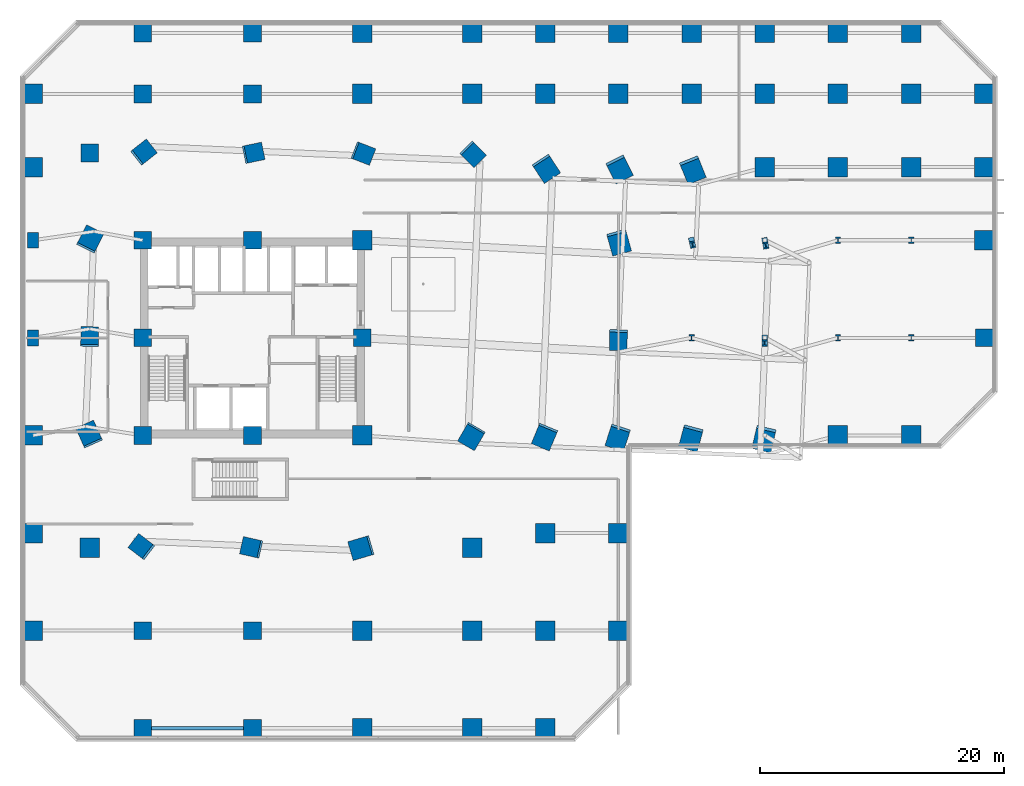
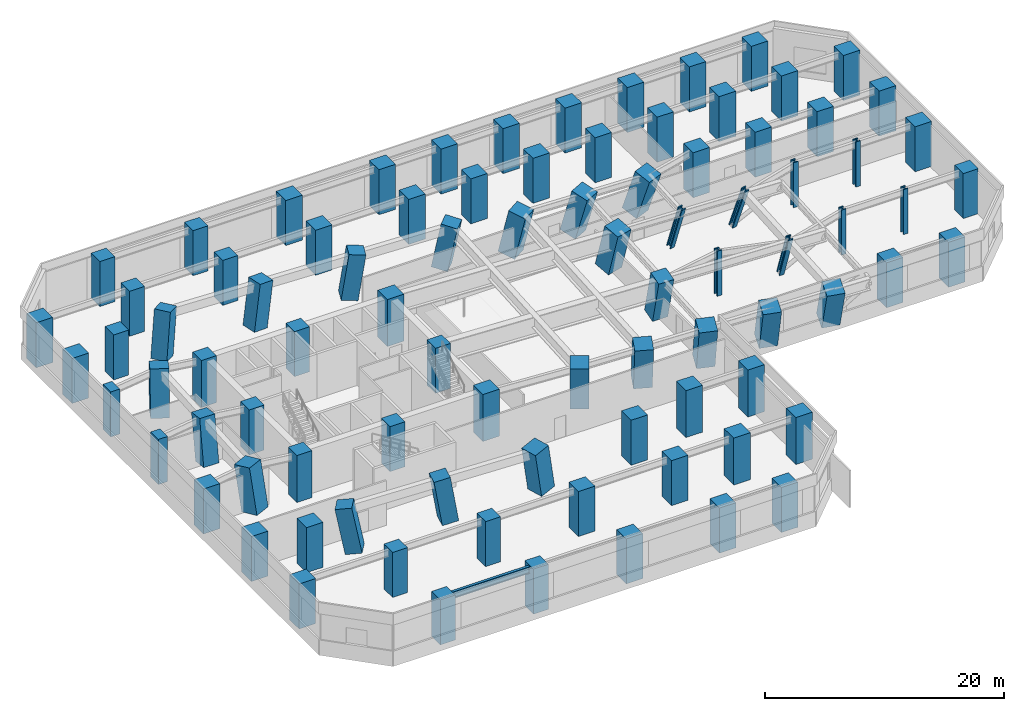
# One storey, part 1 of 14: 88 columns, 1 beam.
"""IFC4 building model written with IfcOpenShell, lengths in metres."""

from ifc_helpers import new_model, si_unit, direction, frame, origin, origin_2d, place, context, subcontext, project, spatial, rectangle, i_section, extrude, clip, halfspace, source, transform, mapped, material, material_profile, profile_set, type_object, element, save


model = new_model("IFC4")

# Units and contexts
model_context = context("Model", 3, precision=1e-05, world=origin(), true_north=direction((0.0, 1.0)))
body_context = subcontext(model_context, "Body", "Model", "MODEL_VIEW")
ifc_project = project(units=[si_unit("LENGTHUNIT", "METRE"), si_unit("AREAUNIT", "SQUARE_METRE"), si_unit("VOLUMEUNIT", "CUBIC_METRE"), si_unit("PLANEANGLEUNIT", "RADIAN"), si_unit("MASSUNIT", "GRAM", prefix="KILO")], contexts=[model_context])

# Site, building, storey
site_placement = place(None, origin())
site = spatial("IfcSite", under=ifc_project, at=site_placement, CompositionType="ELEMENT")
building_placement = place(site_placement, origin())
building = spatial("IfcBuilding", under=site, at=building_placement, Name="Torre Montelarca", CompositionType="ELEMENT")
storey_placement = place(building_placement, frame((0.0, 0.0, 28.0)))
storey = spatial("IfcBuildingStorey", under=building, at=storey_placement, Name="L06", CompositionType="ELEMENT", Elevation=28.0)

# Columns
ifc_material_1 = material(Name="Concrete C70/85", Category="concrete")
ifc_material_profile_1 = material_profile(ifc_material_1, rectangle(XDim=1.449951171875, YDim=1.449951171875, at=origin_2d()), Name="RC1450X1450", Category="concrete")
ifc_profile_set_1 = profile_set([ifc_material_profile_1], Name="Concrete C70/85")
column_type_1 = type_object("IfcColumnType", Name="COL-RC1450", PredefinedType="COLUMN", material=ifc_profile_set_1)
column_1_placement = place(storey_placement, frame((9.0, 14.800048828125, 0.0), z_axis=(-0.151013331323, 0.114858023163, 0.981836344957), x_axis=(-0.605376865392, -0.795938974324, 0.0)))
element("IfcColumn", 1, at=column_1_placement, inside=storey, type_object=column_type_1, Name="L06 Column 2/CS", PredefinedType="COLUMN", context=body_context, shape_type="Clipping", body=[
    clip(clip(extrude(rectangle(XDim=1.449951171875, YDim=1.449951171875, at=origin_2d()), origin(), (0.0, 0.0, 1.0), 4.888916015625), halfspace(frame((0.0, 0.0, 0.140869140625), z_axis=(0.0, 0.0, -1.0), x_axis=(1.0, 0.0, 0.0)), False)), halfspace(frame((0.0, 0.0, 4.748046875), z_axis=(0.0, 0.0, 1.0), x_axis=(1.0, 0.0, 0.0)), False)),
])
column_2_placement = place(storey_placement, frame((9.0, 47.14990234375, 0.0), z_axis=(0.137944021771, 0.108903175083, 0.984434632322), x_axis=(-0.619644288579, 0.784882765533, 0.0)))
element("IfcColumn", 2, at=column_2_placement, inside=storey, type_object=column_type_1, Name="L06 Column 2/GN", PredefinedType="COLUMN", context=body_context, shape_type="Clipping", body=[
    clip(clip(extrude(rectangle(XDim=1.449951171875, YDim=1.449951171875, at=origin_2d()), origin(), (0.0, 0.0, 1.0), 4.8759765625), halfspace(frame((0.0, 0.0, 0.130126953125), z_axis=(0.0, 0.0, -1.0), x_axis=(1.0, 0.0, 0.0)), False)), halfspace(frame((0.0, 0.0, 4.745849609375), z_axis=(0.0, 0.0, 1.0), x_axis=(1.0, 0.0, 0.0)), False)),
])
column_3_placement = place(storey_placement, frame((18.0, 14.800048828125, 0.0), z_axis=(-0.153644648635, 0.034757141829, 0.987514690036), x_axis=(-0.220642524596, -0.975354743844, 0.0)))
element("IfcColumn", 3, at=column_3_placement, inside=storey, type_object=column_type_1, Name="L06 Column 3/CS", PredefinedType="COLUMN", context=body_context, shape_type="Clipping", body=[
    clip(clip(extrude(rectangle(XDim=1.449951171875, YDim=1.449951171875, at=origin_2d()), origin(), (0.0, 0.0, 1.0), 4.86083984375), halfspace(frame((0.0, 0.0, 0.116455078125), z_axis=(0.0, 0.0, -1.0), x_axis=(1.0, 0.0, 0.0)), False)), halfspace(frame((0.0, 0.0, 4.744384765625), z_axis=(0.0, 0.0, 1.0), x_axis=(1.0, 0.0, 0.0)), False)),
])
column_4_placement = place(storey_placement, frame((18.0, 47.14990234375, 0.0), z_axis=(0.137033469496, 0.028504573221, 0.990156208658), x_axis=(-0.203652506851, 0.979043235232, 0.0)))
element("IfcColumn", 4, at=column_4_placement, inside=storey, type_object=column_type_1, Name="L06 Column 3/GN", PredefinedType="COLUMN", context=body_context, shape_type="Clipping", body=[
    clip(clip(extrude(rectangle(XDim=1.449951171875, YDim=1.449951171875, at=origin_2d()), origin(), (0.0, 0.0, 1.0), 4.84765625), halfspace(frame((0.0, 0.0, 0.103271484375), z_axis=(0.0, 0.0, -1.0), x_axis=(1.0, 0.0, 0.0)), False)), halfspace(frame((0.0, 0.0, 4.744384765625), z_axis=(0.0, 0.0, 1.0), x_axis=(1.0, 0.0, 0.0)), False)),
])
column_5_placement = place(storey_placement, frame((27.0, 47.14990234375, 0.0), z_axis=(0.135123042012, -0.05238848668, 0.989442878584), x_axis=(0.361490890945, 0.932375640911, 0.0)))
element("IfcColumn", 5, at=column_5_placement, inside=storey, type_object=column_type_1, Name="L06 Column 4/GN", PredefinedType="COLUMN", context=body_context, shape_type="Clipping", body=[
    clip(clip(extrude(rectangle(XDim=1.449951171875, YDim=1.449951171875, at=origin_2d()), origin(), (0.0, 0.0, 1.0), 4.851318359375), halfspace(frame((0.0, 0.0, 0.10693359375), z_axis=(0.0, 0.0, -1.0), x_axis=(1.0, 0.0, 0.0)), False)), halfspace(frame((0.0, 0.0, 4.744384765625), z_axis=(0.0, 0.0, 1.0), x_axis=(1.0, 0.0, 0.0)), False)),
])
column_6_placement = place(storey_placement, frame((36.0, 47.14990234375, 0.0), z_axis=(0.132401625397, -0.13235166252, 0.982320134692), x_axis=(0.706973327046, 0.707240210144, 0.0)))
element("IfcColumn", 6, at=column_6_placement, inside=storey, type_object=column_type_1, Name="L06 Column 5/GN", PredefinedType="COLUMN", context=body_context, shape_type="Clipping", body=[
    clip(clip(extrude(rectangle(XDim=1.449951171875, YDim=1.449951171875, at=origin_2d()), origin(), (0.0, 0.0, 1.0), 4.886474609375), halfspace(frame((0.0, 0.0, 0.138916015625), z_axis=(0.0, 0.0, -1.0), x_axis=(1.0, 0.0, 0.0)), False)), halfspace(frame((0.0, 0.0, 4.74755859375), z_axis=(0.0, 0.0, 1.0), x_axis=(1.0, 0.0, 0.0)), False)),
])
column_7_placement = place(storey_placement, frame((48.0, 32.0, 0.0), z_axis=(-0.005093110912, -0.234134758899, 0.972190811979), x_axis=(0.999763489518, -0.021747759117, 0.0)))
element("IfcColumn", 7, at=column_7_placement, inside=storey, type_object=column_type_1, Name="L06 Column 7/E", PredefinedType="COLUMN", context=body_context, shape_type="Clipping", body=[
    clip(clip(extrude(rectangle(XDim=1.449951171875, YDim=1.449951171875, at=origin_2d()), origin(), (0.0, 0.0, 1.0), 4.937255859375), halfspace(frame((0.0, 0.0, 0.17529296875), z_axis=(0.0, 0.0, -1.0), x_axis=(1.0, 0.0, 0.0)), False)), halfspace(frame((0.0, 0.0, 4.761962890625), z_axis=(0.0, 0.0, 1.0), x_axis=(1.0, 0.0, 0.0)), False)),
])
column_8_placement = place(storey_placement, frame((4.64990234375, 32.0, 0.0), z_axis=(0.003318194609, 0.151380060121, 0.988470063777), x_axis=(-0.999759851488, 0.021914364065, 0.0)))
element("IfcColumn", 8, at=column_8_placement, inside=storey, type_object=column_type_1, Name="L06 Column 1W/E", PredefinedType="COLUMN", context=body_context, shape_type="Clipping", body=[
    clip(clip(extrude(rectangle(XDim=1.449951171875, YDim=1.449951171875, at=origin_2d()), origin(), (0.0, 0.0, 1.0), 4.85595703125), halfspace(frame((0.0, 0.0, 0.11181640625), z_axis=(0.0, 0.0, -1.0), x_axis=(1.0, 0.0, 0.0)), False)), halfspace(frame((0.0, 0.0, 4.744140625), z_axis=(0.0, 0.0, 1.0), x_axis=(1.0, 0.0, 0.0)), False)),
])
ifc_material_profile_2 = material_profile(ifc_material_1, rectangle(XDim=1.60009765625, YDim=1.60009765625, at=origin_2d()), Name="RC1600X1600", Category="concrete")
ifc_profile_set_2 = profile_set([ifc_material_profile_2], Name="Concrete C70/85")
column_type_2 = type_object("IfcColumnType", Name="COL-RC1600", PredefinedType="COLUMN", material=ifc_profile_set_2)
column_9_placement = place(storey_placement, frame((27.0, 14.800048828125, 0.0), z_axis=(-0.155338879297, -0.04597428544, 0.986790858114), x_axis=(0.283792954128, -0.958885581906, 0.0)))
element("IfcColumn", 9, at=column_9_placement, inside=storey, type_object=column_type_2, Name="L06 Column 4/CS", PredefinedType="COLUMN", context=body_context, shape_type="Clipping", body=[
    clip(clip(extrude(rectangle(XDim=1.60009765625, YDim=1.60009765625, at=origin_2d()), origin(), (0.0, 0.0, 1.0), 4.8642578125), halfspace(frame((0.0, 0.0, 0.132080078125), z_axis=(0.0, 0.0, -1.0), x_axis=(1.0, 0.0, 0.0)), False)), halfspace(frame((0.0, 0.0, 4.732177734375), z_axis=(0.0, 0.0, 1.0), x_axis=(1.0, 0.0, 0.0)), False)),
])
column_10_placement = place(storey_placement, frame((42.0, 46.0, 0.0), z_axis=(0.120166759651, -0.184417772759, 0.97547426156), x_axis=(0.83783025408, 0.545930824692, 0.0)))
element("IfcColumn", 10, at=column_10_placement, inside=storey, type_object=column_type_2, Name="L06 Column 6/G", PredefinedType="COLUMN", context=body_context, shape_type="Clipping", body=[
    clip(clip(extrude(rectangle(XDim=1.60009765625, YDim=1.60009765625, at=origin_2d()), origin(), (0.0, 0.0, 1.0), 4.920654296875), halfspace(frame((0.0, 0.0, 0.18115234375), z_axis=(0.0, 0.0, -1.0), x_axis=(1.0, 0.0, 0.0)), False)), halfspace(frame((0.0, 0.0, 4.739501953125), z_axis=(0.0, 0.0, 1.0), x_axis=(1.0, 0.0, 0.0)), False)),
])
column_11_placement = place(storey_placement, frame((48.0, 40.0, 0.0), z_axis=(0.065404532384, -0.235081448976, 0.969772632884), x_axis=(0.963407779641, 0.268040015905, 0.0)))
element("IfcColumn", 11, at=column_11_placement, inside=storey, type_object=column_type_2, Name="L06 Column 7/F", PredefinedType="COLUMN", context=body_context, shape_type="Clipping", body=[
    clip(clip(extrude(rectangle(XDim=1.60009765625, YDim=1.60009765625, at=origin_2d()), origin(), (0.0, 0.0, 1.0), 4.94970703125), halfspace(frame((0.0, 0.0, 0.2021484375), z_axis=(0.0, 0.0, -1.0), x_axis=(1.0, 0.0, 0.0)), False)), halfspace(frame((0.0, 0.0, 4.74755859375), z_axis=(0.0, 0.0, 1.0), x_axis=(1.0, 0.0, 0.0)), False)),
])
column_12_placement = place(storey_placement, frame((48.0, 46.0, 0.0), z_axis=(0.117679189372, -0.235014861511, 0.964841760735), x_axis=(0.894165640865, 0.447736313801, 0.0)))
element("IfcColumn", 12, at=column_12_placement, inside=storey, type_object=column_type_2, Name="L06 Column 7/G", PredefinedType="COLUMN", context=body_context, shape_type="Clipping", body=[
    clip(clip(extrude(rectangle(XDim=1.60009765625, YDim=1.60009765625, at=origin_2d()), origin(), (0.0, 0.0, 1.0), 4.974853515625), halfspace(frame((0.0, 0.0, 0.21875), z_axis=(0.0, 0.0, -1.0), x_axis=(1.0, 0.0, 0.0)), False)), halfspace(frame((0.0, 0.0, 4.756103515625), z_axis=(0.0, 0.0, 1.0), x_axis=(1.0, 0.0, 0.0)), False)),
])
column_13_placement = place(storey_placement, frame((54.0, 46.0, 0.0), z_axis=(0.114947559248, -0.283785865524, 0.951973025433), x_axis=(0.92685381155, 0.37542244474, 0.0)))
element("IfcColumn", 13, at=column_13_placement, inside=storey, type_object=column_type_2, Name="L06 Column 8/G", PredefinedType="COLUMN", context=body_context, shape_type="Clipping", body=[
    clip(clip(extrude(rectangle(XDim=1.60009765625, YDim=1.60009765625, at=origin_2d()), origin(), (0.0, 0.0, 1.0), 5.042236328125), halfspace(frame((0.0, 0.0, 0.258056640625), z_axis=(0.0, 0.0, -1.0), x_axis=(1.0, 0.0, 0.0)), False)), halfspace(frame((0.0, 0.0, 4.7841796875), z_axis=(0.0, 0.0, 1.0), x_axis=(1.0, 0.0, 0.0)), False)),
])
column_14_placement = place(storey_placement, frame((4.64990234375, 40.0, 0.0), z_axis=(0.07496919422, 0.149386775639, 0.985932660572), x_axis=(-0.893766167959, 0.448533206142, 0.0)))
element("IfcColumn", 14, at=column_14_placement, inside=storey, type_object=column_type_2, Name="L06 Column 1W/F", PredefinedType="COLUMN", context=body_context, shape_type="Clipping", body=[
    clip(clip(extrude(rectangle(XDim=1.60009765625, YDim=1.60009765625, at=origin_2d()), origin(), (0.0, 0.0, 1.0), 4.86865234375), halfspace(frame((0.0, 0.0, 0.136474609375), z_axis=(0.0, 0.0, -1.0), x_axis=(1.0, 0.0, 0.0)), False)), halfspace(frame((0.0, 0.0, 4.732177734375), z_axis=(0.0, 0.0, 1.0), x_axis=(1.0, 0.0, 0.0)), False)),
])
ifc_material_profile_3 = material_profile(ifc_material_1, rectangle(XDim=1.60009765625, YDim=1.60009765625, at=origin_2d()), Name="RC1600X1600", Category="concrete")
ifc_profile_set_3 = profile_set([ifc_material_profile_3], Name="Concrete C70/85")
column_type_3 = type_object("IfcColumnType", Name="COL-RC1600-EXT", PredefinedType="COLUMN", material=ifc_profile_set_3)
column_15_placement = place(storey_placement, frame((36.0, 24.0, 0.0), z_axis=(-0.074738817011, -0.128755970086, 0.988855909321), x_axis=(0.864855191365, -0.502021411863, 0.0)))
element("IfcColumn", 15, at=column_15_placement, inside=storey, type_object=column_type_3, Name="L06 Perimeter Mega Column 5/D", PredefinedType="COLUMN", context=body_context, shape_type="Clipping", body=[
    clip(clip(extrude(rectangle(XDim=1.60009765625, YDim=1.60009765625, at=origin_2d()), origin(), (0.0, 0.0, 1.0), 4.854248046875), halfspace(frame((0.0, 0.0, 0.12109375), z_axis=(0.0, 0.0, -1.0), x_axis=(1.0, 0.0, 0.0)), False)), halfspace(frame((0.0, 0.0, 4.733154296875), z_axis=(0.0, 0.0, 1.0), x_axis=(1.0, 0.0, 0.0)), False)),
])
column_16_placement = place(storey_placement, frame((42.0, 24.0, 0.0), z_axis=(-0.075259886608, -0.181142417601, 0.980572982502), x_axis=(0.923467612917, -0.383676384331, 0.0)))
element("IfcColumn", 16, at=column_16_placement, inside=storey, type_object=column_type_3, Name="L06 Perimeter Mega Column 6/D", PredefinedType="COLUMN", context=body_context, shape_type="Clipping", body=[
    clip(clip(extrude(rectangle(XDim=1.60009765625, YDim=1.60009765625, at=origin_2d()), origin(), (0.0, 0.0, 1.0), 4.895263671875), halfspace(frame((0.0, 0.0, 0.160888671875), z_axis=(0.0, 0.0, -1.0), x_axis=(1.0, 0.0, 0.0)), False)), halfspace(frame((0.0, 0.0, 4.734375), z_axis=(0.0, 0.0, 1.0), x_axis=(1.0, 0.0, 0.0)), False)),
])
column_17_placement = place(storey_placement, frame((48.0, 24.0, 0.0), z_axis=(-0.07561517764, -0.231975329706, 0.969778217593), x_axis=(0.950764807949, -0.309913342672, 0.0)))
element("IfcColumn", 17, at=column_17_placement, inside=storey, type_object=column_type_3, Name="L06 Perimeter Mega Column 7/D", PredefinedType="COLUMN", context=body_context, shape_type="Clipping", body=[
    clip(clip(extrude(rectangle(XDim=1.60009765625, YDim=1.60009765625, at=origin_2d()), origin(), (0.0, 0.0, 1.0), 4.94970703125), halfspace(frame((0.0, 0.0, 0.2021484375), z_axis=(0.0, 0.0, -1.0), x_axis=(1.0, 0.0, 0.0)), False)), halfspace(frame((0.0, 0.0, 4.74755859375), z_axis=(0.0, 0.0, 1.0), x_axis=(1.0, 0.0, 0.0)), False)),
])
column_18_placement = place(storey_placement, frame((54.0, 24.0, 0.0), z_axis=(-0.075715593765, -0.28101385218, 0.956712268001), x_axis=(0.965565696682, -0.260159346154, 0.0)))
element("IfcColumn", 18, at=column_18_placement, inside=storey, type_object=column_type_3, Name="L06 Perimeter Mega Column 8/D", PredefinedType="COLUMN", context=body_context, shape_type="Clipping", body=[
    clip(clip(extrude(rectangle(XDim=1.60009765625, YDim=1.60009765625, at=origin_2d()), origin(), (0.0, 0.0, 1.0), 5.017333984375), halfspace(frame((0.0, 0.0, 0.244140625), z_axis=(0.0, 0.0, -1.0), x_axis=(1.0, 0.0, 0.0)), False)), halfspace(frame((0.0, 0.0, 4.773193359375), z_axis=(0.0, 0.0, 1.0), x_axis=(1.0, 0.0, 0.0)), False)),
])
column_19_placement = place(storey_placement, frame((60.0, 24.0, 0.0), z_axis=(-0.075626493605, -0.327938316475, 0.941667188582), x_axis=(0.974424764565, -0.224713992004, 0.0)))
element("IfcColumn", 19, at=column_19_placement, inside=storey, type_object=column_type_3, Name="L06 Perimeter Mega Column 9/D", PredefinedType="COLUMN", context=body_context, shape_type="Clipping", body=[
    clip(clip(extrude(rectangle(XDim=1.60009765625, YDim=1.60009765625, at=origin_2d()), origin(), (0.0, 0.0, 1.0), 5.097412109375), halfspace(frame((0.0, 0.0, 0.28662109375), z_axis=(0.0, 0.0, -1.0), x_axis=(1.0, 0.0, 0.0)), False)), halfspace(frame((0.0, 0.0, 4.810791015625), z_axis=(0.0, 0.0, 1.0), x_axis=(1.0, 0.0, 0.0)), False)),
])
column_20_placement = place(storey_placement, frame((4.64990234375, 24.0, 0.0), z_axis=(-0.068349662981, 0.152545616132, 0.985930098217), x_axis=(-0.912582674782, -0.408892237255, 0.0)))
element("IfcColumn", 20, at=column_20_placement, inside=storey, type_object=column_type_3, Name="L06 Perimeter Mega Column 1W/D", PredefinedType="COLUMN", context=body_context, shape_type="Clipping", body=[
    clip(clip(extrude(rectangle(XDim=1.60009765625, YDim=1.60009765625, at=origin_2d()), origin(), (0.0, 0.0, 1.0), 4.86865234375), halfspace(frame((0.0, 0.0, 0.136474609375), z_axis=(0.0, 0.0, -1.0), x_axis=(1.0, 0.0, 0.0)), False)), halfspace(frame((0.0, 0.0, 4.732177734375), z_axis=(0.0, 0.0, 1.0), x_axis=(1.0, 0.0, 0.0)), False)),
])
ifc_material_2 = material(Name="Steel ASTM A992 Grade 50", Category="steel")
ifc_material_profile_4 = material_profile(ifc_material_2, i_section(OverallWidth=0.44189453125, OverallDepth=0.531005859375, WebThickness=0.06591796875, FlangeThickness=0.10595703125, FilletRadius=0.014892578125, at=origin_2d()), Name="W360X900", Category="steel")
ifc_profile_set_4 = profile_set([ifc_material_profile_4], Name="Steel ASTM A992 Grade 50")
column_type_4 = type_object("IfcColumnType", Name="COL-W360X900", PredefinedType="COLUMN", material=ifc_profile_set_4)
column_21_placement = place(storey_placement, frame((54.0, 40.0, 0.0), z_axis=(0.063403888281, -0.28407666906, 0.956702876052), x_axis=(0.975986028976, 0.217833127057, 0.0)))
element("IfcColumn", 21, at=column_21_placement, inside=storey, type_object=column_type_4, Name="L06 Column 8/F", PredefinedType="COLUMN", context=body_context, shape_type="Clipping", body=[
    clip(clip(extrude(i_section(OverallWidth=0.44189453125, OverallDepth=0.531005859375, WebThickness=0.06591796875, FlangeThickness=0.10595703125, FilletRadius=0.014892578125, at=origin_2d()), origin(), (0.0, 0.0, 1.0), 5.017333984375), halfspace(frame((0.0, 0.0, 0.08154296875), z_axis=(0.0, 0.0, -1.0), x_axis=(1.0, 0.0, 0.0)), False)), halfspace(frame((0.0, 0.0, 4.935791015625), z_axis=(0.0, 0.0, 1.0), x_axis=(1.0, 0.0, 0.0)), False)),
])
column_22_placement = place(storey_placement, frame((60.0, 32.0, 0.0), z_axis=(-0.007201190316, -0.330198579943, 0.943884018649), x_axis=(0.999762275855, -0.021803480863, 0.0)))
element("IfcColumn", 22, at=column_22_placement, inside=storey, type_object=column_type_4, Name="L06 Column 9/E", PredefinedType="COLUMN", context=body_context, shape_type="Clipping", body=[
    clip(clip(extrude(i_section(OverallWidth=0.44189453125, OverallDepth=0.531005859375, WebThickness=0.06591796875, FlangeThickness=0.10595703125, FilletRadius=0.014892578125, at=origin_2d()), origin(), (0.0, 0.0, 1.0), 5.08544921875), halfspace(frame((0.0, 0.0, 0.09375), z_axis=(0.0, 0.0, -1.0), x_axis=(1.0, 0.0, 0.0)), False)), halfspace(frame((0.0, 0.0, 4.99169921875), z_axis=(0.0, 0.0, 1.0), x_axis=(1.0, 0.0, 0.0)), False)),
])
column_23_placement = place(storey_placement, frame((60.0, 40.0, 0.0), z_axis=(0.061257285985, -0.330952186205, 0.94165715383), x_axis=(0.983298043028, 0.182002633435, 0.0)))
element("IfcColumn", 23, at=column_23_placement, inside=storey, type_object=column_type_4, Name="L06 Column 9/F", PredefinedType="COLUMN", context=body_context, shape_type="Clipping", body=[
    clip(clip(extrude(i_section(OverallWidth=0.44189453125, OverallDepth=0.531005859375, WebThickness=0.06591796875, FlangeThickness=0.10595703125, FilletRadius=0.014892578125, at=origin_2d()), origin(), (0.0, 0.0, 1.0), 5.097412109375), halfspace(frame((0.0, 0.0, 0.095703125), z_axis=(0.0, 0.0, -1.0), x_axis=(1.0, 0.0, 0.0)), False)), halfspace(frame((0.0, 0.0, 5.001708984375), z_axis=(0.0, 0.0, 1.0), x_axis=(1.0, 0.0, 0.0)), False)),
])
shared_shape_1 = source(origin(), body_context, "Body", "SweptSolid", [
    extrude(rectangle(XDim=1.60009765625, YDim=1.60009765625, at=origin_2d()), origin(), (0.0, 0.0, 1.0), 4.599365234375),
])
for number, where, z_axis, x_axis, name in (
    (24, (0.0, 8.0, 0.000732421875), (0.0, 0.0, 1.0), (1.0, 0.0, 0.0), "L06 Perimeter Mega Column 1/B"),
    (25, (0.0, 16.0, 0.000732421875), (0.0, 0.0, 1.0), (1.0, 0.0, 0.0), "L06 Perimeter Mega Column 1/C"),
    (26, (0.0, 24.0, 0.000732421875), (0.0, 0.0, 1.0), (1.0, 0.0, 0.0), "L06 Perimeter Mega Column 1/D"),
    (27, (0.0, 46.0, 0.000732421875), (0.0, 0.0, 1.0), (1.0, 0.0, 0.0), "L06 Perimeter Mega Column 1/G"),
    (28, (0.0, 52.0, 0.000732421875), (0.0, 0.0, 1.0), (1.0, 0.0, 0.0), "L06 Perimeter Mega Column 1/H"),
    (29, (27.0, 0.0, 0.000732421875), (0.0, 0.0, 1.0), (1.0, 0.0, 0.0), "L06 Perimeter Mega Column 4/A"),
    (30, (27.0, 57.0, 0.000732421875), (0.0, 0.0, 1.0), (1.0, 0.0, 0.0), "L06 Perimeter Mega Column 4/J"),
    (31, (36.0, 0.0, 0.000732421875), (0.0, 0.0, 1.0), (1.0, 0.0, 0.0), "L06 Perimeter Mega Column 5/A"),
    (32, (36.0, 57.0, 0.000732421875), (0.0, 0.0, 1.0), (1.0, 0.0, 0.0), "L06 Perimeter Mega Column 5/J"),
    (33, (42.0, 0.0, 0.000732421875), (0.0, 0.0, 1.0), (1.0, 0.0, 0.0), "L06 Perimeter Mega Column 6/A"),
    (34, (42.0, 57.0, 0.000732421875), (0.0, 0.0, 1.0), (1.0, 0.0, 0.0), "L06 Perimeter Mega Column 6/J"),
    (35, (48.0, 57.0, 0.000732421875), (0.0, 0.0, 1.0), (1.0, 0.0, 0.0), "L06 Perimeter Mega Column 7/J"),
    (36, (54.0, 57.0, 0.000732421875), (0.0, 0.0, 1.0), (1.0, 0.0, 0.0), "L06 Perimeter Mega Column 8/J"),
    (37, (60.0, 57.0, 0.000732421875), (0.0, 0.0, 1.0), (1.0, 0.0, 0.0), "L06 Perimeter Mega Column 9/J"),
    (38, (66.0, 24.0, 0.000732421875), (0.0, 0.0, 1.0), (1.0, 0.0, 0.0), "L06 Perimeter Mega Column 10/D"),
    (39, (66.0, 57.0, 0.000732421875), (0.0, 0.0, 1.0), (1.0, 0.0, 0.0), "L06 Perimeter Mega Column 10/J"),
    (40, (72.0, 24.0, 0.000732421875), (0.0, 0.0, 1.0), (1.0, 0.0, 0.0), "L06 Perimeter Mega Column 11/D"),
    (41, (72.0, 57.0, 0.000732421875), (0.0, 0.0, 1.0), (1.0, 0.0, 0.0), "L06 Perimeter Mega Column 11/J"),
    (42, (78.0, 40.0, 0.000732421875), (0.0, 0.0, 1.0), (1.0, 0.0, 0.0), "L06 Perimeter Mega Column 12/F"),
    (43, (78.0, 46.0, 0.000732421875), (0.0, 0.0, 1.0), (1.0, 0.0, 0.0), "L06 Perimeter Mega Column 12/G"),
    (44, (78.0, 52.0, 0.000732421875), (0.0, 0.0, 1.0), (1.0, 0.0, 0.0), "L06 Perimeter Mega Column 12/H"),
):
    element("IfcColumn", number, at=place(storey_placement, frame(where, z_axis=z_axis, x_axis=x_axis)), inside=storey, type_object=column_type_3, Name=name, PredefinedType="COLUMN", context=body_context, shape_type="MappedRepresentation", body=[
        mapped(shared_shape_1, transform((0.0, 0.0, 0.0), scale=1.0)),
    ])
shared_shape_2 = source(origin(), body_context, "Body", "SweptSolid", [
    extrude(rectangle(XDim=1.60009765625, YDim=1.60009765625, at=origin_2d()), origin(), (0.0, 0.0, 1.0), 4.798583984375),
])
for number, where, z_axis, x_axis, name in (
    (45, (27.0, 24.0, 0.000732421875), (0.0, 0.0, 1.0), (1.0, 0.0, 0.0), "L06 Perimeter Mega Column 4/D"),
    (46, (48.0, 8.0, 0.000732421875), (0.0, 0.0, 1.0), (1.0, 0.0, 0.0), "L06 Perimeter Mega Column 7/B"),
    (47, (48.0, 16.0, 0.000732421875), (0.0, 0.0, 1.0), (1.0, 0.0, 0.0), "L06 Perimeter Mega Column 7/C"),
):
    element("IfcColumn", number, at=place(storey_placement, frame(where, z_axis=z_axis, x_axis=x_axis)), inside=storey, type_object=column_type_3, Name=name, PredefinedType="COLUMN", context=body_context, shape_type="MappedRepresentation", body=[
        mapped(shared_shape_2, transform((0.0, 0.0, 0.0), scale=1.0)),
    ])
ifc_material_profile_5 = material_profile(ifc_material_1, rectangle(XDim=1.449951171875, YDim=1.449951171875, at=origin_2d()), Name="RC1450X1450", Category="concrete")
ifc_profile_set_5 = profile_set([ifc_material_profile_5], Name="Concrete C70/85")
column_type_5 = type_object("IfcColumnType", Name="COL-RC1450-EXT", PredefinedType="COLUMN", material=ifc_profile_set_5)
shared_shape_3 = source(origin(), body_context, "Body", "SweptSolid", [
    extrude(rectangle(XDim=1.449951171875, YDim=1.449951171875, at=origin_2d()), origin(), (0.0, 0.0, 1.0), 4.798583984375),
])
column_24_placement = place(storey_placement, frame((9.0, 24.0, 0.000732421875), z_axis=(0.0, 0.0, 1.0), x_axis=(1.0, 0.0, 0.0)))
element("IfcColumn", 48, at=column_24_placement, inside=storey, type_object=column_type_5, Name="L06 Perimeter Mega Column 2/D", PredefinedType="COLUMN", context=body_context, shape_type="MappedRepresentation", body=[
    mapped(shared_shape_3, transform((0.0, 0.0, 0.0), scale=1.0)),
])
shared_shape_4 = source(origin(), body_context, "Body", "SweptSolid", [
    extrude(rectangle(XDim=1.449951171875, YDim=1.449951171875, at=origin_2d()), origin(), (0.0, 0.0, 1.0), 4.798583984375),
])
column_25_placement = place(storey_placement, frame((9.0, 40.0, 0.000732421875), z_axis=(0.0, 0.0, 1.0), x_axis=(1.0, 0.0, 0.0)))
element("IfcColumn", 49, at=column_25_placement, inside=storey, type_object=column_type_1, Name="L06 Column 2/F", PredefinedType="COLUMN", context=body_context, shape_type="MappedRepresentation", body=[
    mapped(shared_shape_4, transform((0.0, 0.0, 0.0), scale=1.0)),
])
shared_shape_5 = source(origin(), body_context, "Body", "SweptSolid", [
    extrude(rectangle(XDim=1.449951171875, YDim=1.449951171875, at=origin_2d()), origin(), (0.0, 0.0, 1.0), 4.599365234375),
])
for number, where, z_axis, x_axis, name in (
    (50, (9.0, 0.0, 0.000732421875), (0.0, 0.0, 1.0), (1.0, 0.0, 0.0), "L06 Perimeter Mega Column 2/A"),
    (51, (9.0, 57.0, 0.000732421875), (0.0, 0.0, 1.0), (1.0, 0.0, 0.0), "L06 Perimeter Mega Column 2/J"),
    (52, (18.0, 0.0, 0.000732421875), (0.0, 0.0, 1.0), (1.0, 0.0, 0.0), "L06 Perimeter Mega Column 3/A"),
    (53, (18.0, 24.0, 0.000732421875), (0.0, 0.0, 1.0), (1.0, 0.0, 0.0), "L06 Perimeter Mega Column 3/D"),
    (54, (18.0, 57.0, 0.000732421875), (0.0, 0.0, 1.0), (1.0, 0.0, 0.0), "L06 Perimeter Mega Column 3/J"),
    (55, (78.0, 32.0, 0.000732421875), (0.0, 0.0, 1.0), (1.0, 0.0, 0.0), "L06 Perimeter Mega Column 12/E"),
):
    element("IfcColumn", number, at=place(storey_placement, frame(where, z_axis=z_axis, x_axis=x_axis)), inside=storey, type_object=column_type_5, Name=name, PredefinedType="COLUMN", context=body_context, shape_type="MappedRepresentation", body=[
        mapped(shared_shape_5, transform((0.0, 0.0, 0.0), scale=1.0)),
    ])
shared_shape_6 = source(origin(), body_context, "Body", "SweptSolid", [
    extrude(rectangle(XDim=1.60009765625, YDim=1.60009765625, at=origin_2d()), origin(), (0.0, 0.0, 1.0), 4.798583984375),
])
for number, where, z_axis, x_axis, name in (
    (56, (27.0, 40.0, 0.000732421875), (0.0, 0.0, 1.0), (1.0, 0.0, 0.0), "L06 Column 4/F"),
    (57, (42.0, 8.0, 0.000732421875), (0.0, 0.0, 1.0), (1.0, 0.0, 0.0), "L06 Column 6/B"),
    (58, (42.0, 16.0, 0.000732421875), (0.0, 0.0, 1.0), (1.0, 0.0, 0.0), "L06 Column 6/C"),
):
    element("IfcColumn", number, at=place(storey_placement, frame(where, z_axis=z_axis, x_axis=x_axis)), inside=storey, type_object=column_type_2, Name=name, PredefinedType="COLUMN", context=body_context, shape_type="MappedRepresentation", body=[
        mapped(shared_shape_6, transform((0.0, 0.0, 0.0), scale=1.0)),
    ])
shared_shape_7 = source(origin(), body_context, "Body", "SweptSolid", [
    extrude(rectangle(XDim=1.60009765625, YDim=1.60009765625, at=origin_2d()), origin(), (0.0, 0.0, 1.0), 4.599365234375),
])
for number, where, z_axis, x_axis, name in (
    (59, (27.0, 8.0, 0.000732421875), (0.0, 0.0, 1.0), (1.0, 0.0, 0.0), "L06 Column 4/B"),
    (60, (27.0, 52.0, 0.000732421875), (0.0, 0.0, 1.0), (1.0, 0.0, 0.0), "L06 Column 4/H"),
    (61, (36.0, 8.0, 0.000732421875), (0.0, 0.0, 1.0), (1.0, 0.0, 0.0), "L06 Column 5/B"),
    (62, (36.0, 52.0, 0.000732421875), (0.0, 0.0, 1.0), (1.0, 0.0, 0.0), "L06 Column 5/H"),
    (63, (36.0, 14.800048828125, 0.000732421875), (0.0, 0.0, 1.0), (1.0, 0.0, 0.0), "L06 Column 5/CS"),
    (64, (42.0, 52.0, 0.000732421875), (0.0, 0.0, 1.0), (1.0, 0.0, 0.0), "L06 Column 6/H"),
    (65, (48.0, 52.0, 0.000732421875), (0.0, 0.0, 1.0), (1.0, 0.0, 0.0), "L06 Column 7/H"),
    (66, (54.0, 52.0, 0.000732421875), (0.0, 0.0, 1.0), (1.0, 0.0, 0.0), "L06 Column 8/H"),
    (67, (60.0, 46.0, 0.000732421875), (0.0, 0.0, 1.0), (1.0, 0.0, 0.0), "L06 Column 9/G"),
    (68, (60.0, 52.0, 0.000732421875), (0.0, 0.0, 1.0), (1.0, 0.0, 0.0), "L06 Column 9/H"),
    (69, (66.0, 46.0, 0.000732421875), (0.0, 0.0, 1.0), (1.0, 0.0, 0.0), "L06 Column 10/G"),
    (70, (66.0, 52.0, 0.000732421875), (0.0, 0.0, 1.0), (1.0, 0.0, 0.0), "L06 Column 10/H"),
    (71, (72.0, 46.0, 0.000732421875), (0.0, 0.0, 1.0), (1.0, 0.0, 0.0), "L06 Column 11/G"),
    (72, (72.0, 52.0, 0.000732421875), (0.0, 0.0, 1.0), (1.0, 0.0, 0.0), "L06 Column 11/H"),
    (73, (4.64990234375, 14.800048828125, 0.000732421875), (0.0, 0.0, 1.0), (1.0, 0.0, 0.0), "L06 Column 1W/CS"),
):
    element("IfcColumn", number, at=place(storey_placement, frame(where, z_axis=z_axis, x_axis=x_axis)), inside=storey, type_object=column_type_2, Name=name, PredefinedType="COLUMN", context=body_context, shape_type="MappedRepresentation", body=[
        mapped(shared_shape_7, transform((0.0, 0.0, 0.0), scale=1.0)),
    ])
shared_shape_8 = source(origin(), body_context, "Body", "SweptSolid", [
    extrude(rectangle(XDim=1.449951171875, YDim=1.449951171875, at=origin_2d()), origin(), (0.0, 0.0, 1.0), 4.599365234375),
])
for number, where, z_axis, x_axis, name in (
    (74, (9.0, 8.0, 0.000732421875), (0.0, 0.0, 1.0), (1.0, 0.0, 0.0), "L06 Column 2/B"),
    (75, (9.0, 32.0, 0.000732421875), (0.0, 0.0, 1.0), (1.0, 0.0, 0.0), "L06 Column 2/E"),
    (76, (9.0, 52.0, 0.000732421875), (0.0, 0.0, 1.0), (1.0, 0.0, 0.0), "L06 Column 2/H"),
    (77, (18.0, 8.0, 0.000732421875), (0.0, 0.0, 1.0), (1.0, 0.0, 0.0), "L06 Column 3/B"),
    (78, (18.0, 40.0, 0.000732421875), (0.0, 0.0, 1.0), (1.0, 0.0, 0.0), "L06 Column 3/F"),
    (79, (18.0, 52.0, 0.000732421875), (0.0, 0.0, 1.0), (1.0, 0.0, 0.0), "L06 Column 3/H"),
    (80, (27.0, 32.0, 0.000732421875), (0.0, 0.0, 1.0), (1.0, 0.0, 0.0), "L06 Column 4/E"),
    (81, (4.64990234375, 47.14990234375, 0.000732421875), (0.0, 0.0, 1.0), (1.0, 0.0, 0.0), "L06 Column 1W/GN"),
):
    element("IfcColumn", number, at=place(storey_placement, frame(where, z_axis=z_axis, x_axis=x_axis)), inside=storey, type_object=column_type_1, Name=name, PredefinedType="COLUMN", context=body_context, shape_type="MappedRepresentation", body=[
        mapped(shared_shape_8, transform((0.0, 0.0, 0.0), scale=1.0)),
    ])
ifc_material_3 = material(Name="Concrete C55/67", Category="concrete")
ifc_material_profile_6 = material_profile(ifc_material_3, rectangle(XDim=0.89990234375, YDim=1.300048828125, at=origin_2d()), Name="RC1300X900", Category="concrete")
ifc_profile_set_6 = profile_set([ifc_material_profile_6], Name="Concrete C55/67")
column_type_6 = type_object("IfcColumnType", Name="COL-PIL1300-EXT", PredefinedType="PILASTER", material=ifc_profile_set_6)
shared_shape_9 = source(origin(), body_context, "Body", "SweptSolid", [
    extrude(rectangle(XDim=0.89990234375, YDim=1.300048828125, at=origin_2d()), origin(), (0.0, 0.0, 1.0), 4.599365234375),
])
for number, where, z_axis, x_axis, name in (
    (82, (0.0, 32.0, 0.000732421875), (0.0, 0.0, 1.0), (1.0, 0.0, 0.0), "L06 Column 1/E"),
    (83, (0.0, 40.0, 0.000732421875), (0.0, 0.0, 1.0), (1.0, 0.0, 0.0), "L06 Column 1/F"),
):
    element("IfcColumn", number, at=place(storey_placement, frame(where, z_axis=z_axis, x_axis=x_axis)), inside=storey, type_object=column_type_6, Name=name, PredefinedType="PILASTER", context=body_context, shape_type="MappedRepresentation", body=[
        mapped(shared_shape_9, transform((0.0, 0.0, 0.0), scale=1.0)),
    ])
shared_shape_10 = source(origin(), body_context, "Body", "SweptSolid", [
    extrude(i_section(OverallWidth=0.44189453125, OverallDepth=0.531005859375, WebThickness=0.06591796875, FlangeThickness=0.10595703125, FilletRadius=0.014892578125, at=origin_2d()), origin(), (0.0, 0.0, 1.0), 4.599365234375),
])
for number, where, z_axis, x_axis, name in (
    (84, (54.0, 32.0, 0.000732421875), (0.0, 0.0, 1.0), (1.0, 0.0, 0.0), "L06 Column 8/E"),
    (85, (66.0, 32.0, 0.000732421875), (0.0, 0.0, 1.0), (1.0, 0.0, 0.0), "L06 Column 10/E"),
    (86, (66.0, 40.0, 0.000732421875), (0.0, 0.0, 1.0), (1.0, 0.0, 0.0), "L06 Column 10/F"),
    (87, (72.0, 32.0, 0.000732421875), (0.0, 0.0, 1.0), (1.0, 0.0, 0.0), "L06 Column 11/E"),
    (88, (72.0, 40.0, 0.000732421875), (0.0, 0.0, 1.0), (1.0, 0.0, 0.0), "L06 Column 11/F"),
):
    element("IfcColumn", number, at=place(storey_placement, frame(where, z_axis=z_axis, x_axis=x_axis)), inside=storey, type_object=column_type_4, Name=name, PredefinedType="COLUMN", context=body_context, shape_type="MappedRepresentation", body=[
        mapped(shared_shape_10, transform((0.0, 0.0, 0.0), scale=1.0)),
    ])

# Beam
ifc_material_profile_7 = material_profile(ifc_material_2, i_section(OverallWidth=0.256103515625, OverallDepth=0.693115234375, WebThickness=0.014404296875, FlangeThickness=0.023681640625, FilletRadius=0.01806640625, at=origin_2d()), Name="W690X170", Category="steel")
ifc_profile_set_7 = profile_set([ifc_material_profile_7], Name="Steel ASTM A992 Grade 50")
beam_type = type_object("IfcBeamType", Name="BM-G-W690", PredefinedType="BEAM", material=ifc_profile_set_7)
shared_shape_11 = source(origin(), body_context, "Body", "SweptSolid", [
    extrude(i_section(OverallWidth=0.256103515625, OverallDepth=0.693115234375, WebThickness=0.014404296875, FlangeThickness=0.023681640625, FilletRadius=0.01806640625, at=origin_2d()), origin(), (0.0, 0.0, 1.0), 9.0),
])
beam_placement = place(storey_placement, frame((9.0, 0.0, 4.154052734375), z_axis=(1.0, 0.0, 0.0), x_axis=(0.0, 1.0, 0.0)))
element("IfcBeam", 89, at=beam_placement, inside=storey, type_object=beam_type, Name="L06 Podium Roof Cap Girder 9-18 Y=0m", PredefinedType="BEAM", context=body_context, shape_type="MappedRepresentation", body=[
    mapped(shared_shape_11, transform((0.0, 0.0, 0.0), scale=1.0)),
])

save(model, "model.ifc")
